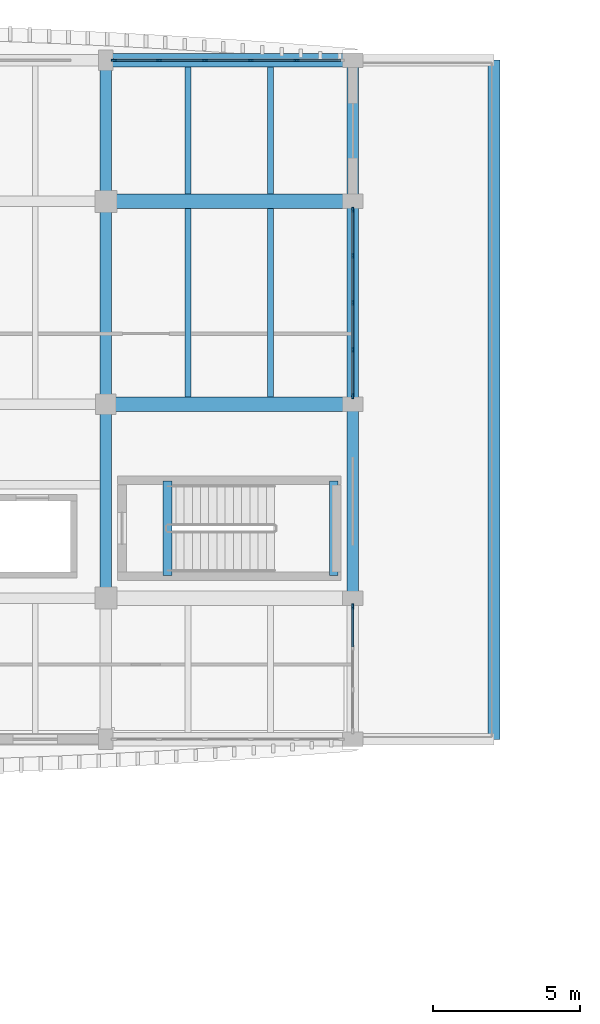
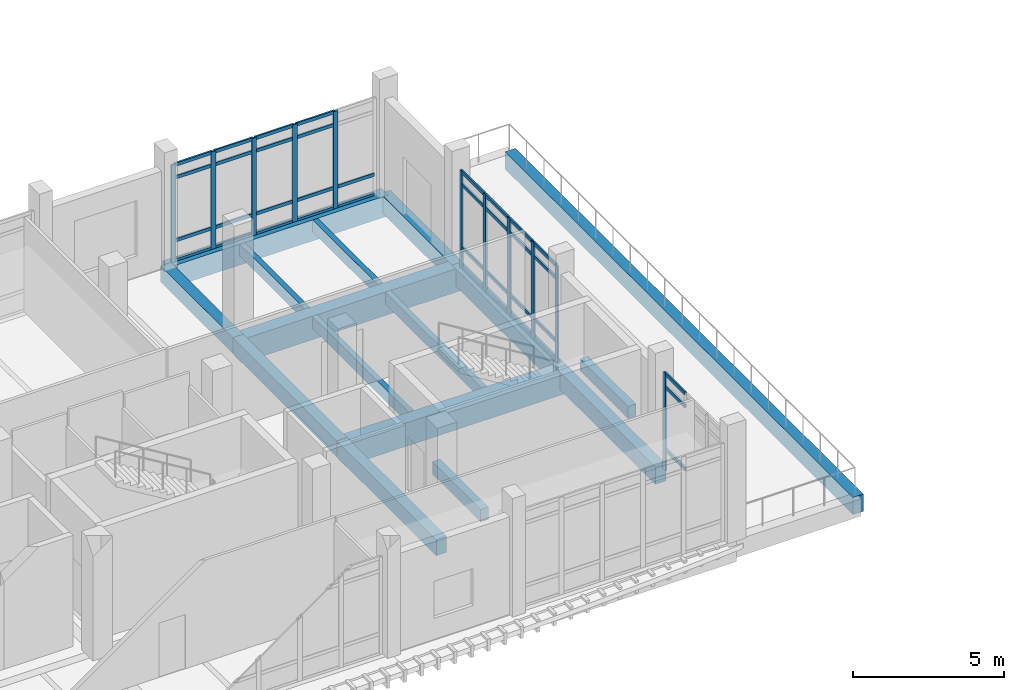
# One storey, part 8 of 50: 48 members, 16 beams, 3 elements without a shape of their own.
"""IFC4 building model written with IfcOpenShell, lengths in metres."""

from ifc_helpers import new_model, si_unit, direction, frame, origin, origin_2d, place, context, subcontext, project, spatial, rectangle, extrude, material, material_profile, profile_set, type_object, element, aggregate, save


model = new_model("IFC4")

# Units and contexts
model_context = context("Model", 3, precision=1e-05, world=origin(), true_north=direction((0.0, 1.0)))
body_context = subcontext(model_context, "Body", "Model", "MODEL_VIEW")
ifc_project = project(units=[si_unit("LENGTHUNIT", "METRE"), si_unit("AREAUNIT", "SQUARE_METRE"), si_unit("VOLUMEUNIT", "CUBIC_METRE"), si_unit("PLANEANGLEUNIT", "RADIAN"), si_unit("MASSUNIT", "GRAM", prefix="KILO")], contexts=[model_context])

# Site, building, storey
site_placement = place(None, origin())
site = spatial("IfcSite", under=ifc_project, at=site_placement, CompositionType="ELEMENT")
building_placement = place(site_placement, origin())
building = spatial("IfcBuilding", under=site, at=building_placement, Name="Dornvale Research Institute", CompositionType="ELEMENT")
storey_placement = place(building_placement, frame((0.0, 0.0, 19.800048828125)))
storey = spatial("IfcBuildingStorey", under=building, at=storey_placement, Name="L04", CompositionType="ELEMENT", Elevation=19.800048828125)

# Beams
ifc_material_1 = material(Name="Concrete f'c 45 MPa (C35/45)", Category="concrete")
ifc_material_profile_1 = material_profile(ifc_material_1, rectangle(XDim=0.300048828125, YDim=0.5, at=origin_2d()), Name="RC 300x500")
ifc_profile_set_1 = profile_set([ifc_material_profile_1], Name="Concrete f'c 45 MPa (C35/45)")
beam_type_1 = type_object("IfcBeamType", Name="Beam_RC300x500_Trim", PredefinedType="BEAM", material=ifc_profile_set_1)
for number, where, z_axis, x_axis, name in (
    (1, (35.10009765625, 104.580078125, -0.25), (0.0, 1.0, 0.0), (-1.0, 0.0, 0.0), "L04 ST-2 stair landing trimmer beam #28"),
    (2, (40.75, 104.580078125, 1.949951171875), (0.0, 1.0, 0.0), (-1.0, 0.0, 0.0), "L04 ST-2 half-landing support beam #41"),
):
    element("IfcBeam", number, at=place(storey_placement, frame(where, z_axis=z_axis, x_axis=x_axis)), inside=storey, type_object=beam_type_1, Name=name, PredefinedType="BEAM", context=body_context, shape_type="SweptSolid", body=[
        extrude(rectangle(XDim=0.300048828125, YDim=0.5, at=origin_2d()), origin(), (0.0, 0.0, 1.0), 3.199951171875),
    ])
ifc_material_2 = material(Name="Concrete f'c 45 MPa (C35/45)", Category="concrete")
ifc_material_profile_2 = material_profile(ifc_material_2, rectangle(XDim=0.39990234375, YDim=0.64990234375, at=origin_2d()), Name="RC 400x650")
ifc_profile_set_2 = profile_set([ifc_material_profile_2], Name="Concrete f'c 45 MPa (C35/45)")
beam_type_2 = type_object("IfcBeamType", Name="Beam_RC400x650_Floor", PredefinedType="BEAM", material=ifc_profile_set_2)
beam_1_placement = place(storey_placement, frame((33.0, 103.800048828125, -0.324951171875), z_axis=(0.0, 1.0, 0.0), x_axis=(-1.0, 0.0, 0.0)))
element("IfcBeam", 3, at=beam_1_placement, inside=storey, type_object=beam_type_2, Name="L04 transverse girder #1165", PredefinedType="BEAM", context=body_context, shape_type="SweptSolid", body=[
    extrude(rectangle(XDim=0.39990234375, YDim=0.64990234375, at=origin_2d()), origin(), (0.0, 0.0, 1.0), 6.599853515625),
])
beam_2_placement = place(storey_placement, frame((33.0, 110.39990234375, -0.324951171875), z_axis=(0.0, 1.0, 0.0), x_axis=(-1.0, 0.0, 0.0)))
element("IfcBeam", 4, at=beam_2_placement, inside=storey, type_object=beam_type_2, Name="L04 transverse girder #1166", PredefinedType="BEAM", context=body_context, shape_type="SweptSolid", body=[
    extrude(rectangle(XDim=0.39990234375, YDim=0.64990234375, at=origin_2d()), origin(), (0.0, 0.0, 1.0), 6.900146484375),
])
beam_3_placement = place(storey_placement, frame((33.0, 117.300048828125, -0.324951171875), z_axis=(0.0, 1.0, 0.0), x_axis=(-1.0, 0.0, 0.0)))
element("IfcBeam", 5, at=beam_3_placement, inside=storey, type_object=beam_type_2, Name="L04 transverse girder #1167", PredefinedType="BEAM", context=body_context, shape_type="SweptSolid", body=[
    extrude(rectangle(XDim=0.39990234375, YDim=0.64990234375, at=origin_2d()), origin(), (0.0, 0.0, 1.0), 4.800048828125),
])
ifc_material_3 = material(Name="Concrete f'c 45 MPa (C35/45)", Category="concrete")
ifc_material_profile_3 = material_profile(ifc_material_3, rectangle(XDim=0.5, YDim=0.949951171875, at=origin_2d()), Name="RC 500x950")
ifc_profile_set_3 = profile_set([ifc_material_profile_3], Name="Concrete f'c 45 MPa (C35/45)")
beam_type_3 = type_object("IfcBeamType", Name="Beam_RC500x950_Girder", PredefinedType="BEAM", material=ifc_profile_set_3)
for number, where, z_axis, x_axis, name in (
    (6, (33.0, 110.39990234375, -0.47509765625), (1.0, 0.0, 0.0), (0.0, 1.0, 0.0), "L04 primary girder #1131"),
    (7, (33.0, 117.300048828125, -0.47509765625), (1.0, 0.0, 0.0), (0.0, 1.0, 0.0), "L04 primary girder #1137"),
):
    element("IfcBeam", number, at=place(storey_placement, frame(where, z_axis=z_axis, x_axis=x_axis)), inside=storey, type_object=beam_type_3, Name=name, PredefinedType="BEAM", context=body_context, shape_type="SweptSolid", body=[
        extrude(rectangle(XDim=0.5, YDim=0.949951171875, at=origin_2d()), origin(), (0.0, 0.0, 1.0), 8.39990234375),
    ])
ifc_material_4 = material(Name="Concrete f'c 45 MPa (C35/45)", Category="concrete")
ifc_material_profile_4 = material_profile(ifc_material_4, rectangle(XDim=0.199951171875, YDim=0.485107421875, at=origin_2d()), Name="RC 200x485")
ifc_profile_set_4 = profile_set([ifc_material_profile_4], Name="Concrete f'c 45 MPa (C35/45)")
beam_type_4 = type_object("IfcBeamType", Name="Joist_RC200x485_Rib", PredefinedType="JOIST", material=ifc_profile_set_4)
for number, where, z_axis, x_axis, name in (
    (8, (35.800048828125, 110.64990234375, -0.242431640625), (0.0, 1.0, 0.0), (-1.0, 0.0, 0.0), "L04 laboratory waffle joist #582"),
    (9, (38.60009765625, 110.64990234375, -0.242431640625), (0.0, 1.0, 0.0), (-1.0, 0.0, 0.0), "L04 laboratory waffle joist #583"),
):
    element("IfcBeam", number, at=place(storey_placement, frame(where, z_axis=z_axis, x_axis=x_axis)), inside=storey, type_object=beam_type_4, Name=name, PredefinedType="JOIST", context=body_context, shape_type="SweptSolid", body=[
        extrude(rectangle(XDim=0.199951171875, YDim=0.485107421875, at=origin_2d()), origin(), (0.0, 0.0, 1.0), 6.400146484375),
    ])
for number, where, z_axis, x_axis, name in (
    (10, (35.800048828125, 117.550048828125, -0.242431640625), (0.0, 1.0, 0.0), (-1.0, 0.0, 0.0), "L04 laboratory waffle joist #584"),
    (11, (38.60009765625, 117.550048828125, -0.242431640625), (0.0, 1.0, 0.0), (-1.0, 0.0, 0.0), "L04 laboratory waffle joist #585"),
):
    element("IfcBeam", number, at=place(storey_placement, frame(where, z_axis=z_axis, x_axis=x_axis)), inside=storey, type_object=beam_type_4, Name=name, PredefinedType="JOIST", context=body_context, shape_type="SweptSolid", body=[
        extrude(rectangle(XDim=0.199951171875, YDim=0.485107421875, at=origin_2d()), origin(), (0.0, 0.0, 1.0), 4.324951171875),
    ])

# Curtain wall, members
ifc_material_5 = material(Name="Low-E Argon Double Insulating Glazing Unit", Category="glass")
curtain_wall_type_1 = type_object("IfcCurtainWallType", Name="UnitisedCurtainWall_V5_7800x3950", PredefinedType="USERDEFINED", material=ifc_material_5)
curtain_wall_1_placement = place(storey_placement, origin())
curtain_wall_1 = element("IfcCurtainWall", 12, at=curtain_wall_1_placement, inside=storey, type_object=curtain_wall_type_1, Name="L04 V5 unitised curtain wall CW-29 #159", ObjectType="UNITISED CURTAIN WALL", PredefinedType="USERDEFINED")
ifc_material_6 = material(Name="Anodized Aluminum AA 6063-T6 Thermally Broken Frame", Category="aluminium")
ifc_material_profile_5 = material_profile(ifc_material_6, rectangle(XDim=0.06494140625, YDim=0.179931640625, at=origin_2d()), Name="ALU MULLION 65x180")
ifc_profile_set_5 = profile_set([ifc_material_profile_5], Name="Anodized Aluminum AA 6063-T6 Thermally Broken Frame")
member_type_1 = type_object("IfcMemberType", Name="Mullion_CW_65x180", PredefinedType="MULLION", material=ifc_profile_set_5)
member_1_placement = place(storey_placement, frame((33.282470703125, 122.10009765625, 0.0), z_axis=(0.0, 0.0, 1.0), x_axis=(0.0, 1.0, 0.0)))
member_1 = element("IfcMember", 13, at=member_1_placement, type_object=member_type_1, Name="CW-29 mullion 1", PredefinedType="MULLION", context=body_context, shape_type="SweptSolid", body=[
    extrude(rectangle(XDim=0.06494140625, YDim=0.179931640625, at=origin_2d()), origin(), (0.0, 0.0, 1.0), 3.949951171875),
])
member_2_placement = place(storey_placement, frame((34.81005859375, 122.10009765625, 0.0), z_axis=(0.0, 0.0, 1.0), x_axis=(0.0, 1.0, 0.0)))
member_2 = element("IfcMember", 14, at=member_2_placement, type_object=member_type_1, Name="CW-29 mullion 2", PredefinedType="MULLION", context=body_context, shape_type="SweptSolid", body=[
    extrude(rectangle(XDim=0.06494140625, YDim=0.179931640625, at=origin_2d()), origin(), (0.0, 0.0, 1.0), 3.949951171875),
])
member_3_placement = place(storey_placement, frame((36.3701171875, 122.10009765625, 0.0), z_axis=(0.0, 0.0, 1.0), x_axis=(0.0, 1.0, 0.0)))
member_3 = element("IfcMember", 15, at=member_3_placement, type_object=member_type_1, Name="CW-29 mullion 3", PredefinedType="MULLION", context=body_context, shape_type="SweptSolid", body=[
    extrude(rectangle(XDim=0.06494140625, YDim=0.179931640625, at=origin_2d()), origin(), (0.0, 0.0, 1.0), 3.949951171875),
])
member_4_placement = place(storey_placement, frame((37.929931640625, 122.10009765625, 0.0), z_axis=(0.0, 0.0, 1.0), x_axis=(0.0, 1.0, 0.0)))
member_4 = element("IfcMember", 16, at=member_4_placement, type_object=member_type_1, Name="CW-29 mullion 4", PredefinedType="MULLION", context=body_context, shape_type="SweptSolid", body=[
    extrude(rectangle(XDim=0.06494140625, YDim=0.179931640625, at=origin_2d()), origin(), (0.0, 0.0, 1.0), 3.949951171875),
])
member_5_placement = place(storey_placement, frame((39.489990234375, 122.10009765625, 0.0), z_axis=(0.0, 0.0, 1.0), x_axis=(0.0, 1.0, 0.0)))
member_5 = element("IfcMember", 17, at=member_5_placement, type_object=member_type_1, Name="CW-29 mullion 5", PredefinedType="MULLION", context=body_context, shape_type="SweptSolid", body=[
    extrude(rectangle(XDim=0.06494140625, YDim=0.179931640625, at=origin_2d()), origin(), (0.0, 0.0, 1.0), 3.949951171875),
])

ifc_material_7 = material(Name="Low-E Argon Double Insulating Glazing Unit", Category="glass")
curtain_wall_type_2 = type_object("IfcCurtainWallType", Name="UnitisedCurtainWall_V5_6400x3950", PredefinedType="USERDEFINED", material=ifc_material_7)
curtain_wall_2_placement = place(storey_placement, origin())
curtain_wall_2 = element("IfcCurtainWall", 18, at=curtain_wall_2_placement, inside=storey, type_object=curtain_wall_type_2, Name="L04 V5 unitised curtain wall CW-28 #160", ObjectType="UNITISED CURTAIN WALL", PredefinedType="USERDEFINED")
member_6_placement = place(storey_placement, frame((41.39990234375, 117.017578125, 0.0), z_axis=(0.0, 0.0, 1.0), x_axis=(1.0, 0.0, 0.0)))
member_6 = element("IfcMember", 19, at=member_6_placement, type_object=member_type_1, Name="CW-28 mullion 1", PredefinedType="MULLION", context=body_context, shape_type="SweptSolid", body=[
    extrude(rectangle(XDim=0.06494140625, YDim=0.179931640625, at=origin_2d()), origin(), (0.0, 0.0, 1.0), 3.949951171875),
])
member_7_placement = place(storey_placement, frame((41.39990234375, 115.449951171875, 0.0), z_axis=(0.0, 0.0, 1.0), x_axis=(1.0, 0.0, 0.0)))
member_7 = element("IfcMember", 20, at=member_7_placement, type_object=member_type_1, Name="CW-28 mullion 2", PredefinedType="MULLION", context=body_context, shape_type="SweptSolid", body=[
    extrude(rectangle(XDim=0.06494140625, YDim=0.179931640625, at=origin_2d()), origin(), (0.0, 0.0, 1.0), 3.949951171875),
])
member_8_placement = place(storey_placement, frame((41.39990234375, 113.85009765625, 0.0), z_axis=(0.0, 0.0, 1.0), x_axis=(1.0, 0.0, 0.0)))
member_8 = element("IfcMember", 21, at=member_8_placement, type_object=member_type_1, Name="CW-28 mullion 3", PredefinedType="MULLION", context=body_context, shape_type="SweptSolid", body=[
    extrude(rectangle(XDim=0.06494140625, YDim=0.179931640625, at=origin_2d()), origin(), (0.0, 0.0, 1.0), 3.949951171875),
])
member_9_placement = place(storey_placement, frame((41.39990234375, 112.25, 0.0), z_axis=(0.0, 0.0, 1.0), x_axis=(1.0, 0.0, 0.0)))
member_9 = element("IfcMember", 22, at=member_9_placement, type_object=member_type_1, Name="CW-28 mullion 4", PredefinedType="MULLION", context=body_context, shape_type="SweptSolid", body=[
    extrude(rectangle(XDim=0.06494140625, YDim=0.179931640625, at=origin_2d()), origin(), (0.0, 0.0, 1.0), 3.949951171875),
])
member_10_placement = place(storey_placement, frame((41.39990234375, 110.6826171875, 0.0), z_axis=(0.0, 0.0, 1.0), x_axis=(1.0, 0.0, 0.0)))
member_10 = element("IfcMember", 23, at=member_10_placement, type_object=member_type_1, Name="CW-28 mullion 5", PredefinedType="MULLION", context=body_context, shape_type="SweptSolid", body=[
    extrude(rectangle(XDim=0.06494140625, YDim=0.179931640625, at=origin_2d()), origin(), (0.0, 0.0, 1.0), 3.949951171875),
])

# Curtain wall, member
ifc_material_8 = material(Name="Low-E Argon Double Insulating Glazing Unit", Category="glass")
curtain_wall_type_3 = type_object("IfcCurtainWallType", Name="UnitisedCurtainWall_V5_4300x3950", PredefinedType="USERDEFINED", material=ifc_material_8)
curtain_wall_3_placement = place(storey_placement, origin())
curtain_wall_3 = element("IfcCurtainWall", 24, at=curtain_wall_3_placement, inside=storey, type_object=curtain_wall_type_3, Name="L04 V5 unitised curtain wall CW-25 #161", ObjectType="UNITISED CURTAIN WALL", PredefinedType="USERDEFINED")
member_11_placement = place(storey_placement, frame((41.39990234375, 103.517578125, 0.0), z_axis=(0.0, 0.0, 1.0), x_axis=(1.0, 0.0, 0.0)))
member_11 = element("IfcMember", 25, at=member_11_placement, type_object=member_type_1, Name="CW-25 mullion 1", PredefinedType="MULLION", context=body_context, shape_type="SweptSolid", body=[
    extrude(rectangle(XDim=0.06494140625, YDim=0.179931640625, at=origin_2d()), origin(), (0.0, 0.0, 1.0), 3.949951171875),
])

# Beams
ifc_material_9 = material(Name="Concrete f'c 45 MPa (C35/45)", Category="concrete")
ifc_material_profile_6 = material_profile(ifc_material_9, rectangle(XDim=0.39990234375, YDim=0.699951171875, at=origin_2d()), Name="RC 400x700")
ifc_profile_set_6 = profile_set([ifc_material_profile_6], Name="Concrete f'c 45 MPa (C35/45)")
beam_type_5 = type_object("IfcBeamType", Name="Spandrel_RC400x700_Ext", PredefinedType="SPANDREL", material=ifc_profile_set_6)
beam_4_placement = place(storey_placement, frame((41.39990234375, 103.800048828125, -0.35009765625), z_axis=(0.0, 1.0, 0.0), x_axis=(-1.0, 0.0, 0.0)))
element("IfcBeam", 26, at=beam_4_placement, inside=storey, type_object=beam_type_5, Name="L04 perimeter spandrel #1169", PredefinedType="SPANDREL", context=body_context, shape_type="SweptSolid", body=[
    extrude(rectangle(XDim=0.39990234375, YDim=0.699951171875, at=origin_2d()), origin(), (0.0, 0.0, 1.0), 6.599853515625),
])
beam_5_placement = place(storey_placement, frame((41.39990234375, 110.39990234375, -0.35009765625), z_axis=(0.0, 1.0, 0.0), x_axis=(-1.0, 0.0, 0.0)))
element("IfcBeam", 27, at=beam_5_placement, inside=storey, type_object=beam_type_5, Name="L04 perimeter spandrel #1170", PredefinedType="SPANDREL", context=body_context, shape_type="SweptSolid", body=[
    extrude(rectangle(XDim=0.39990234375, YDim=0.699951171875, at=origin_2d()), origin(), (0.0, 0.0, 1.0), 6.900146484375),
])
beam_6_placement = place(storey_placement, frame((41.39990234375, 117.300048828125, -0.35009765625), z_axis=(0.0, 1.0, 0.0), x_axis=(-1.0, 0.0, 0.0)))
element("IfcBeam", 28, at=beam_6_placement, inside=storey, type_object=beam_type_5, Name="L04 perimeter spandrel #1171", PredefinedType="SPANDREL", context=body_context, shape_type="SweptSolid", body=[
    extrude(rectangle(XDim=0.39990234375, YDim=0.699951171875, at=origin_2d()), origin(), (0.0, 0.0, 1.0), 4.800048828125),
])
beam_7_placement = place(storey_placement, frame((46.199951171875, 99.0, -0.35009765625), z_axis=(0.0, 1.0, 0.0), x_axis=(-1.0, 0.0, 0.0)))
element("IfcBeam", 29, at=beam_7_placement, inside=storey, type_object=beam_type_5, Name="L04 terrace outer beam #1322", PredefinedType="SPANDREL", context=body_context, shape_type="SweptSolid", body=[
    extrude(rectangle(XDim=0.39990234375, YDim=0.699951171875, at=origin_2d()), origin(), (0.0, 0.0, 1.0), 23.10009765625),
])
ifc_material_10 = material(Name="Concrete f'c 45 MPa (C35/45)", Category="concrete")
ifc_material_profile_7 = material_profile(ifc_material_10, rectangle(XDim=0.449951171875, YDim=0.85009765625, at=origin_2d()), Name="RC 450x850")
ifc_profile_set_7 = profile_set([ifc_material_profile_7], Name="Concrete f'c 45 MPa (C35/45)")
beam_type_6 = type_object("IfcBeamType", Name="Spandrel_RC450x850_Ext", PredefinedType="SPANDREL", material=ifc_profile_set_7)
beam_8_placement = place(storey_placement, frame((33.0, 122.10009765625, -0.425048828125), z_axis=(1.0, 0.0, 0.0), x_axis=(0.0, 1.0, 0.0)))
element("IfcBeam", 30, at=beam_8_placement, inside=storey, type_object=beam_type_6, Name="L04 perimeter spandrel #1143", PredefinedType="SPANDREL", context=body_context, shape_type="SweptSolid", body=[
    extrude(rectangle(XDim=0.449951171875, YDim=0.85009765625, at=origin_2d()), origin(), (0.0, 0.0, 1.0), 8.39990234375),
])

# Member
ifc_material_11 = material(Name="Anodized Aluminum AA 6063-T6 Thermally Broken Frame", Category="aluminium")
ifc_material_profile_8 = material_profile(ifc_material_11, rectangle(XDim=0.06494140625, YDim=0.135009765625, at=origin_2d()), Name="ALU TRANSOM 65x135")
ifc_profile_set_8 = profile_set([ifc_material_profile_8], Name="Anodized Aluminum AA 6063-T6 Thermally Broken Frame")
member_type_2 = type_object("IfcMemberType", Name="Transom_CW_65x135", PredefinedType="USERDEFINED", material=ifc_profile_set_8)
member_12_placement = place(storey_placement, frame((33.31494140625, 122.10009765625, 0.032470703125), z_axis=(1.0, 0.0, 0.0), x_axis=(0.0, 1.0, 0.0)))
member_12 = element("IfcMember", 31, at=member_12_placement, type_object=member_type_2, Name="CW-29 transom 1.1", ObjectType="TRANSOM", PredefinedType="USERDEFINED", context=body_context, shape_type="SweptSolid", body=[
    extrude(rectangle(XDim=0.06494140625, YDim=0.135009765625, at=origin_2d()), origin(), (0.0, 0.0, 1.0), 1.462646484375),
])

member_13_placement = place(storey_placement, frame((33.31494140625, 122.10009765625, 0.849853515625), z_axis=(1.0, 0.0, 0.0), x_axis=(0.0, 1.0, 0.0)))
member_13 = element("IfcMember", 32, at=member_13_placement, type_object=member_type_2, Name="CW-29 transom 1.2", ObjectType="TRANSOM", PredefinedType="USERDEFINED", context=body_context, shape_type="SweptSolid", body=[
    extrude(rectangle(XDim=0.06494140625, YDim=0.135009765625, at=origin_2d()), origin(), (0.0, 0.0, 1.0), 1.462646484375),
])

member_14_placement = place(storey_placement, frame((33.31494140625, 122.10009765625, 3.39990234375), z_axis=(1.0, 0.0, 0.0), x_axis=(0.0, 1.0, 0.0)))
member_14 = element("IfcMember", 33, at=member_14_placement, type_object=member_type_2, Name="CW-29 transom 1.3", ObjectType="TRANSOM", PredefinedType="USERDEFINED", context=body_context, shape_type="SweptSolid", body=[
    extrude(rectangle(XDim=0.06494140625, YDim=0.135009765625, at=origin_2d()), origin(), (0.0, 0.0, 1.0), 1.462646484375),
])

member_15_placement = place(storey_placement, frame((33.31494140625, 122.10009765625, 3.91748046875), z_axis=(1.0, 0.0, 0.0), x_axis=(0.0, 1.0, 0.0)))
member_15 = element("IfcMember", 34, at=member_15_placement, type_object=member_type_2, Name="CW-29 transom 1.4", ObjectType="TRANSOM", PredefinedType="USERDEFINED", context=body_context, shape_type="SweptSolid", body=[
    extrude(rectangle(XDim=0.06494140625, YDim=0.135009765625, at=origin_2d()), origin(), (0.0, 0.0, 1.0), 1.462646484375),
])

member_16_placement = place(storey_placement, frame((34.842529296875, 122.10009765625, 0.032470703125), z_axis=(1.0, 0.0, 0.0), x_axis=(0.0, 1.0, 0.0)))
member_16 = element("IfcMember", 35, at=member_16_placement, type_object=member_type_2, Name="CW-29 transom 2.1", ObjectType="TRANSOM", PredefinedType="USERDEFINED", context=body_context, shape_type="SweptSolid", body=[
    extrude(rectangle(XDim=0.06494140625, YDim=0.135009765625, at=origin_2d()), origin(), (0.0, 0.0, 1.0), 1.494873046875),
])

member_17_placement = place(storey_placement, frame((34.842529296875, 122.10009765625, 0.849853515625), z_axis=(1.0, 0.0, 0.0), x_axis=(0.0, 1.0, 0.0)))
member_17 = element("IfcMember", 36, at=member_17_placement, type_object=member_type_2, Name="CW-29 transom 2.2", ObjectType="TRANSOM", PredefinedType="USERDEFINED", context=body_context, shape_type="SweptSolid", body=[
    extrude(rectangle(XDim=0.06494140625, YDim=0.135009765625, at=origin_2d()), origin(), (0.0, 0.0, 1.0), 1.494873046875),
])

member_18_placement = place(storey_placement, frame((34.842529296875, 122.10009765625, 3.39990234375), z_axis=(1.0, 0.0, 0.0), x_axis=(0.0, 1.0, 0.0)))
member_18 = element("IfcMember", 37, at=member_18_placement, type_object=member_type_2, Name="CW-29 transom 2.3", ObjectType="TRANSOM", PredefinedType="USERDEFINED", context=body_context, shape_type="SweptSolid", body=[
    extrude(rectangle(XDim=0.06494140625, YDim=0.135009765625, at=origin_2d()), origin(), (0.0, 0.0, 1.0), 1.494873046875),
])

member_19_placement = place(storey_placement, frame((34.842529296875, 122.10009765625, 3.91748046875), z_axis=(1.0, 0.0, 0.0), x_axis=(0.0, 1.0, 0.0)))
member_19 = element("IfcMember", 38, at=member_19_placement, type_object=member_type_2, Name="CW-29 transom 2.4", ObjectType="TRANSOM", PredefinedType="USERDEFINED", context=body_context, shape_type="SweptSolid", body=[
    extrude(rectangle(XDim=0.06494140625, YDim=0.135009765625, at=origin_2d()), origin(), (0.0, 0.0, 1.0), 1.494873046875),
])

member_20_placement = place(storey_placement, frame((36.402587890625, 122.10009765625, 0.032470703125), z_axis=(1.0, 0.0, 0.0), x_axis=(0.0, 1.0, 0.0)))
member_20 = element("IfcMember", 39, at=member_20_placement, type_object=member_type_2, Name="CW-29 transom 3.1", ObjectType="TRANSOM", PredefinedType="USERDEFINED", context=body_context, shape_type="SweptSolid", body=[
    extrude(rectangle(XDim=0.06494140625, YDim=0.135009765625, at=origin_2d()), origin(), (0.0, 0.0, 1.0), 1.494873046875),
])

member_21_placement = place(storey_placement, frame((36.402587890625, 122.10009765625, 0.849853515625), z_axis=(1.0, 0.0, 0.0), x_axis=(0.0, 1.0, 0.0)))
member_21 = element("IfcMember", 40, at=member_21_placement, type_object=member_type_2, Name="CW-29 transom 3.2", ObjectType="TRANSOM", PredefinedType="USERDEFINED", context=body_context, shape_type="SweptSolid", body=[
    extrude(rectangle(XDim=0.06494140625, YDim=0.135009765625, at=origin_2d()), origin(), (0.0, 0.0, 1.0), 1.494873046875),
])

member_22_placement = place(storey_placement, frame((36.402587890625, 122.10009765625, 3.39990234375), z_axis=(1.0, 0.0, 0.0), x_axis=(0.0, 1.0, 0.0)))
member_22 = element("IfcMember", 41, at=member_22_placement, type_object=member_type_2, Name="CW-29 transom 3.3", ObjectType="TRANSOM", PredefinedType="USERDEFINED", context=body_context, shape_type="SweptSolid", body=[
    extrude(rectangle(XDim=0.06494140625, YDim=0.135009765625, at=origin_2d()), origin(), (0.0, 0.0, 1.0), 1.494873046875),
])

member_23_placement = place(storey_placement, frame((36.402587890625, 122.10009765625, 3.91748046875), z_axis=(1.0, 0.0, 0.0), x_axis=(0.0, 1.0, 0.0)))
member_23 = element("IfcMember", 42, at=member_23_placement, type_object=member_type_2, Name="CW-29 transom 3.4", ObjectType="TRANSOM", PredefinedType="USERDEFINED", context=body_context, shape_type="SweptSolid", body=[
    extrude(rectangle(XDim=0.06494140625, YDim=0.135009765625, at=origin_2d()), origin(), (0.0, 0.0, 1.0), 1.494873046875),
])

member_24_placement = place(storey_placement, frame((37.96240234375, 122.10009765625, 0.032470703125), z_axis=(1.0, 0.0, 0.0), x_axis=(0.0, 1.0, 0.0)))
member_24 = element("IfcMember", 43, at=member_24_placement, type_object=member_type_2, Name="CW-29 transom 4.1", ObjectType="TRANSOM", PredefinedType="USERDEFINED", context=body_context, shape_type="SweptSolid", body=[
    extrude(rectangle(XDim=0.06494140625, YDim=0.135009765625, at=origin_2d()), origin(), (0.0, 0.0, 1.0), 1.4951171875),
])

member_25_placement = place(storey_placement, frame((37.96240234375, 122.10009765625, 0.849853515625), z_axis=(1.0, 0.0, 0.0), x_axis=(0.0, 1.0, 0.0)))
member_25 = element("IfcMember", 44, at=member_25_placement, type_object=member_type_2, Name="CW-29 transom 4.2", ObjectType="TRANSOM", PredefinedType="USERDEFINED", context=body_context, shape_type="SweptSolid", body=[
    extrude(rectangle(XDim=0.06494140625, YDim=0.135009765625, at=origin_2d()), origin(), (0.0, 0.0, 1.0), 1.4951171875),
])

member_26_placement = place(storey_placement, frame((37.96240234375, 122.10009765625, 3.39990234375), z_axis=(1.0, 0.0, 0.0), x_axis=(0.0, 1.0, 0.0)))
member_26 = element("IfcMember", 45, at=member_26_placement, type_object=member_type_2, Name="CW-29 transom 4.3", ObjectType="TRANSOM", PredefinedType="USERDEFINED", context=body_context, shape_type="SweptSolid", body=[
    extrude(rectangle(XDim=0.06494140625, YDim=0.135009765625, at=origin_2d()), origin(), (0.0, 0.0, 1.0), 1.4951171875),
])

member_27_placement = place(storey_placement, frame((37.96240234375, 122.10009765625, 3.91748046875), z_axis=(1.0, 0.0, 0.0), x_axis=(0.0, 1.0, 0.0)))
member_27 = element("IfcMember", 46, at=member_27_placement, type_object=member_type_2, Name="CW-29 transom 4.4", ObjectType="TRANSOM", PredefinedType="USERDEFINED", context=body_context, shape_type="SweptSolid", body=[
    extrude(rectangle(XDim=0.06494140625, YDim=0.135009765625, at=origin_2d()), origin(), (0.0, 0.0, 1.0), 1.4951171875),
])

member_28_placement = place(storey_placement, frame((39.5224609375, 122.10009765625, 0.032470703125), z_axis=(1.0, 0.0, 0.0), x_axis=(0.0, 1.0, 0.0)))
member_28 = element("IfcMember", 47, at=member_28_placement, type_object=member_type_2, Name="CW-29 transom 5.1", ObjectType="TRANSOM", PredefinedType="USERDEFINED", context=body_context, shape_type="SweptSolid", body=[
    extrude(rectangle(XDim=0.06494140625, YDim=0.135009765625, at=origin_2d()), origin(), (0.0, 0.0, 1.0), 1.462646484375),
])

member_29_placement = place(storey_placement, frame((39.5224609375, 122.10009765625, 0.849853515625), z_axis=(1.0, 0.0, 0.0), x_axis=(0.0, 1.0, 0.0)))
member_29 = element("IfcMember", 48, at=member_29_placement, type_object=member_type_2, Name="CW-29 transom 5.2", ObjectType="TRANSOM", PredefinedType="USERDEFINED", context=body_context, shape_type="SweptSolid", body=[
    extrude(rectangle(XDim=0.06494140625, YDim=0.135009765625, at=origin_2d()), origin(), (0.0, 0.0, 1.0), 1.462646484375),
])

aggregate(curtain_wall_1, [member_1, member_2, member_3, member_4, member_5, member_12, member_13, member_14, member_15, member_16, member_17, member_18, member_19, member_20, member_21, member_22, member_23, member_24, member_25, member_26, member_27, member_28, member_29])

member_30_placement = place(storey_placement, frame((41.39990234375, 116.985107421875, 0.032470703125), z_axis=(0.0, -1.0, 0.0), x_axis=(1.0, 0.0, 0.0)))
member_30 = element("IfcMember", 49, at=member_30_placement, type_object=member_type_2, Name="CW-28 transom 1.1", ObjectType="TRANSOM", PredefinedType="USERDEFINED", context=body_context, shape_type="SweptSolid", body=[
    extrude(rectangle(XDim=0.06494140625, YDim=0.135009765625, at=origin_2d()), origin(), (0.0, 0.0, 1.0), 1.502685546875),
])

member_31_placement = place(storey_placement, frame((41.39990234375, 116.985107421875, 0.849853515625), z_axis=(0.0, -1.0, 0.0), x_axis=(1.0, 0.0, 0.0)))
member_31 = element("IfcMember", 50, at=member_31_placement, type_object=member_type_2, Name="CW-28 transom 1.2", ObjectType="TRANSOM", PredefinedType="USERDEFINED", context=body_context, shape_type="SweptSolid", body=[
    extrude(rectangle(XDim=0.06494140625, YDim=0.135009765625, at=origin_2d()), origin(), (0.0, 0.0, 1.0), 1.502685546875),
])

member_32_placement = place(storey_placement, frame((41.39990234375, 116.985107421875, 3.39990234375), z_axis=(0.0, -1.0, 0.0), x_axis=(1.0, 0.0, 0.0)))
member_32 = element("IfcMember", 51, at=member_32_placement, type_object=member_type_2, Name="CW-28 transom 1.3", ObjectType="TRANSOM", PredefinedType="USERDEFINED", context=body_context, shape_type="SweptSolid", body=[
    extrude(rectangle(XDim=0.06494140625, YDim=0.135009765625, at=origin_2d()), origin(), (0.0, 0.0, 1.0), 1.502685546875),
])

member_33_placement = place(storey_placement, frame((41.39990234375, 116.985107421875, 3.91748046875), z_axis=(0.0, -1.0, 0.0), x_axis=(1.0, 0.0, 0.0)))
member_33 = element("IfcMember", 52, at=member_33_placement, type_object=member_type_2, Name="CW-28 transom 1.4", ObjectType="TRANSOM", PredefinedType="USERDEFINED", context=body_context, shape_type="SweptSolid", body=[
    extrude(rectangle(XDim=0.06494140625, YDim=0.135009765625, at=origin_2d()), origin(), (0.0, 0.0, 1.0), 1.502685546875),
])

member_34_placement = place(storey_placement, frame((41.39990234375, 115.41748046875, 0.032470703125), z_axis=(0.0, -1.0, 0.0), x_axis=(1.0, 0.0, 0.0)))
member_34 = element("IfcMember", 53, at=member_34_placement, type_object=member_type_2, Name="CW-28 transom 2.1", ObjectType="TRANSOM", PredefinedType="USERDEFINED", context=body_context, shape_type="SweptSolid", body=[
    extrude(rectangle(XDim=0.06494140625, YDim=0.135009765625, at=origin_2d()), origin(), (0.0, 0.0, 1.0), 1.534912109375),
])

member_35_placement = place(storey_placement, frame((41.39990234375, 115.41748046875, 0.849853515625), z_axis=(0.0, -1.0, 0.0), x_axis=(1.0, 0.0, 0.0)))
member_35 = element("IfcMember", 54, at=member_35_placement, type_object=member_type_2, Name="CW-28 transom 2.2", ObjectType="TRANSOM", PredefinedType="USERDEFINED", context=body_context, shape_type="SweptSolid", body=[
    extrude(rectangle(XDim=0.06494140625, YDim=0.135009765625, at=origin_2d()), origin(), (0.0, 0.0, 1.0), 1.534912109375),
])

member_36_placement = place(storey_placement, frame((41.39990234375, 115.41748046875, 3.39990234375), z_axis=(0.0, -1.0, 0.0), x_axis=(1.0, 0.0, 0.0)))
member_36 = element("IfcMember", 55, at=member_36_placement, type_object=member_type_2, Name="CW-28 transom 2.3", ObjectType="TRANSOM", PredefinedType="USERDEFINED", context=body_context, shape_type="SweptSolid", body=[
    extrude(rectangle(XDim=0.06494140625, YDim=0.135009765625, at=origin_2d()), origin(), (0.0, 0.0, 1.0), 1.534912109375),
])

member_37_placement = place(storey_placement, frame((41.39990234375, 115.41748046875, 3.91748046875), z_axis=(0.0, -1.0, 0.0), x_axis=(1.0, 0.0, 0.0)))
member_37 = element("IfcMember", 56, at=member_37_placement, type_object=member_type_2, Name="CW-28 transom 2.4", ObjectType="TRANSOM", PredefinedType="USERDEFINED", context=body_context, shape_type="SweptSolid", body=[
    extrude(rectangle(XDim=0.06494140625, YDim=0.135009765625, at=origin_2d()), origin(), (0.0, 0.0, 1.0), 1.534912109375),
])

member_38_placement = place(storey_placement, frame((41.39990234375, 113.8173828125, 0.032470703125), z_axis=(0.0, -1.0, 0.0), x_axis=(1.0, 0.0, 0.0)))
member_38 = element("IfcMember", 57, at=member_38_placement, type_object=member_type_2, Name="CW-28 transom 3.1", ObjectType="TRANSOM", PredefinedType="USERDEFINED", context=body_context, shape_type="SweptSolid", body=[
    extrude(rectangle(XDim=0.06494140625, YDim=0.135009765625, at=origin_2d()), origin(), (0.0, 0.0, 1.0), 1.534912109375),
])

member_39_placement = place(storey_placement, frame((41.39990234375, 113.8173828125, 0.849853515625), z_axis=(0.0, -1.0, 0.0), x_axis=(1.0, 0.0, 0.0)))
member_39 = element("IfcMember", 58, at=member_39_placement, type_object=member_type_2, Name="CW-28 transom 3.2", ObjectType="TRANSOM", PredefinedType="USERDEFINED", context=body_context, shape_type="SweptSolid", body=[
    extrude(rectangle(XDim=0.06494140625, YDim=0.135009765625, at=origin_2d()), origin(), (0.0, 0.0, 1.0), 1.534912109375),
])

member_40_placement = place(storey_placement, frame((41.39990234375, 113.8173828125, 3.39990234375), z_axis=(0.0, -1.0, 0.0), x_axis=(1.0, 0.0, 0.0)))
member_40 = element("IfcMember", 59, at=member_40_placement, type_object=member_type_2, Name="CW-28 transom 3.3", ObjectType="TRANSOM", PredefinedType="USERDEFINED", context=body_context, shape_type="SweptSolid", body=[
    extrude(rectangle(XDim=0.06494140625, YDim=0.135009765625, at=origin_2d()), origin(), (0.0, 0.0, 1.0), 1.534912109375),
])

member_41_placement = place(storey_placement, frame((41.39990234375, 113.8173828125, 3.91748046875), z_axis=(0.0, -1.0, 0.0), x_axis=(1.0, 0.0, 0.0)))
member_41 = element("IfcMember", 60, at=member_41_placement, type_object=member_type_2, Name="CW-28 transom 3.4", ObjectType="TRANSOM", PredefinedType="USERDEFINED", context=body_context, shape_type="SweptSolid", body=[
    extrude(rectangle(XDim=0.06494140625, YDim=0.135009765625, at=origin_2d()), origin(), (0.0, 0.0, 1.0), 1.534912109375),
])

member_42_placement = place(storey_placement, frame((41.39990234375, 112.217529296875, 0.032470703125), z_axis=(0.0, -1.0, 0.0), x_axis=(1.0, 0.0, 0.0)))
member_42 = element("IfcMember", 61, at=member_42_placement, type_object=member_type_2, Name="CW-28 transom 4.1", ObjectType="TRANSOM", PredefinedType="USERDEFINED", context=body_context, shape_type="SweptSolid", body=[
    extrude(rectangle(XDim=0.06494140625, YDim=0.135009765625, at=origin_2d()), origin(), (0.0, 0.0, 1.0), 1.50244140625),
])

member_43_placement = place(storey_placement, frame((41.39990234375, 112.217529296875, 0.849853515625), z_axis=(0.0, -1.0, 0.0), x_axis=(1.0, 0.0, 0.0)))
member_43 = element("IfcMember", 62, at=member_43_placement, type_object=member_type_2, Name="CW-28 transom 4.2", ObjectType="TRANSOM", PredefinedType="USERDEFINED", context=body_context, shape_type="SweptSolid", body=[
    extrude(rectangle(XDim=0.06494140625, YDim=0.135009765625, at=origin_2d()), origin(), (0.0, 0.0, 1.0), 1.50244140625),
])

member_44_placement = place(storey_placement, frame((41.39990234375, 112.217529296875, 3.39990234375), z_axis=(0.0, -1.0, 0.0), x_axis=(1.0, 0.0, 0.0)))
member_44 = element("IfcMember", 63, at=member_44_placement, type_object=member_type_2, Name="CW-28 transom 4.3", ObjectType="TRANSOM", PredefinedType="USERDEFINED", context=body_context, shape_type="SweptSolid", body=[
    extrude(rectangle(XDim=0.06494140625, YDim=0.135009765625, at=origin_2d()), origin(), (0.0, 0.0, 1.0), 1.50244140625),
])

member_45_placement = place(storey_placement, frame((41.39990234375, 112.217529296875, 3.91748046875), z_axis=(0.0, -1.0, 0.0), x_axis=(1.0, 0.0, 0.0)))
member_45 = element("IfcMember", 64, at=member_45_placement, type_object=member_type_2, Name="CW-28 transom 4.4", ObjectType="TRANSOM", PredefinedType="USERDEFINED", context=body_context, shape_type="SweptSolid", body=[
    extrude(rectangle(XDim=0.06494140625, YDim=0.135009765625, at=origin_2d()), origin(), (0.0, 0.0, 1.0), 1.50244140625),
])

aggregate(curtain_wall_2, [member_6, member_7, member_8, member_9, member_10, member_30, member_31, member_32, member_33, member_34, member_35, member_36, member_37, member_38, member_39, member_40, member_41, member_42, member_43, member_44, member_45])

member_46_placement = place(storey_placement, frame((41.39990234375, 103.485107421875, 0.849853515625), z_axis=(0.0, -1.0, 0.0), x_axis=(1.0, 0.0, 0.0)))
member_46 = element("IfcMember", 65, at=member_46_placement, type_object=member_type_2, Name="CW-25 transom 1.2", ObjectType="TRANSOM", PredefinedType="USERDEFINED", context=body_context, shape_type="SweptSolid", body=[
    extrude(rectangle(XDim=0.06494140625, YDim=0.135009765625, at=origin_2d()), origin(), (0.0, 0.0, 1.0), 1.3359375),
])

member_47_placement = place(storey_placement, frame((41.39990234375, 103.485107421875, 3.39990234375), z_axis=(0.0, -1.0, 0.0), x_axis=(1.0, 0.0, 0.0)))
member_47 = element("IfcMember", 66, at=member_47_placement, type_object=member_type_2, Name="CW-25 transom 1.3", ObjectType="TRANSOM", PredefinedType="USERDEFINED", context=body_context, shape_type="SweptSolid", body=[
    extrude(rectangle(XDim=0.06494140625, YDim=0.135009765625, at=origin_2d()), origin(), (0.0, 0.0, 1.0), 1.3359375),
])

member_48_placement = place(storey_placement, frame((41.39990234375, 103.485107421875, 3.91748046875), z_axis=(0.0, -1.0, 0.0), x_axis=(1.0, 0.0, 0.0)))
member_48 = element("IfcMember", 67, at=member_48_placement, type_object=member_type_2, Name="CW-25 transom 1.4", ObjectType="TRANSOM", PredefinedType="USERDEFINED", context=body_context, shape_type="SweptSolid", body=[
    extrude(rectangle(XDim=0.06494140625, YDim=0.135009765625, at=origin_2d()), origin(), (0.0, 0.0, 1.0), 1.3359375),
])

aggregate(curtain_wall_3, [member_11, member_46, member_47, member_48])

save(model, "model.ifc")
